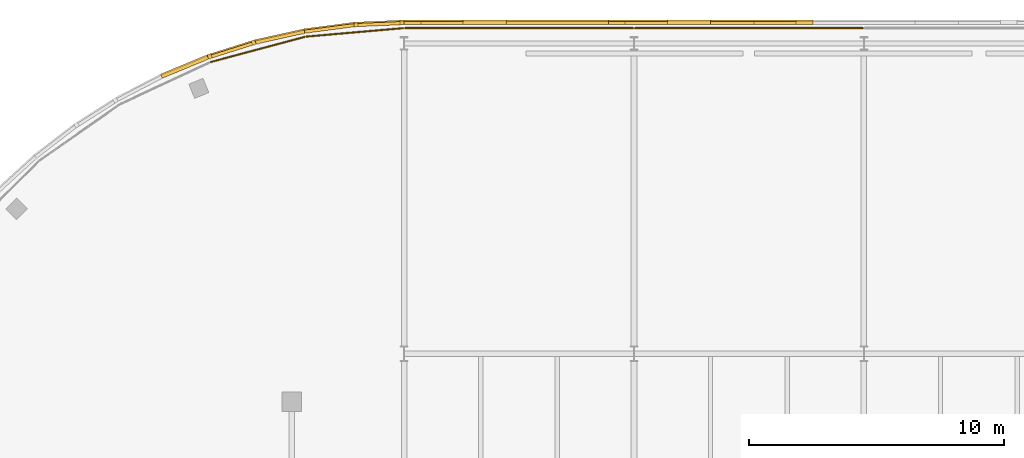
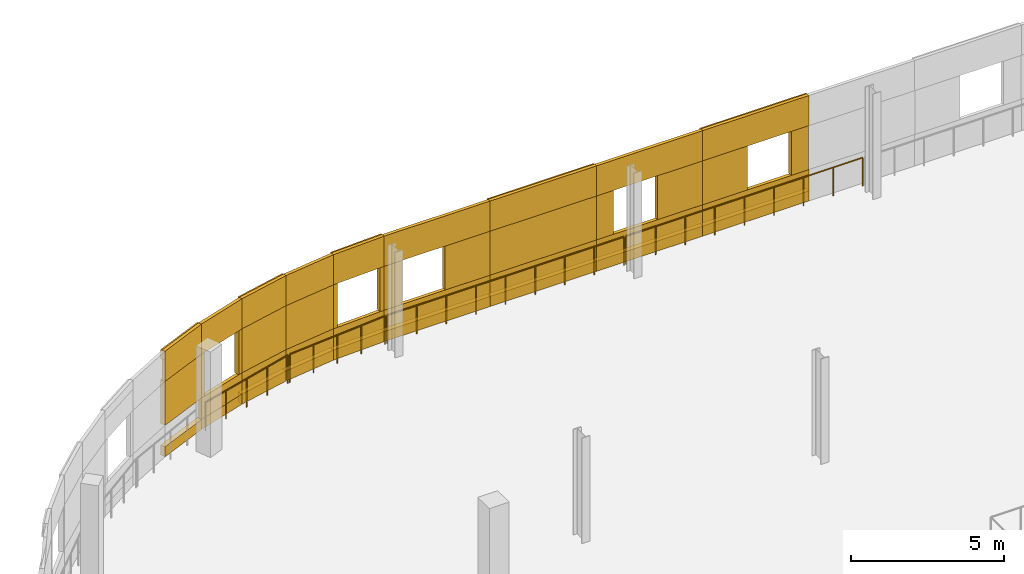
# One storey, part 123 of 132: 45 coverings, 4 railings.
"""IFC4 building model written with IfcOpenShell, lengths in metres."""

from ifc_helpers import new_model, si_unit, direction, frame, origin, origin_2d, place, context, subcontext, project, spatial, rectangle, circle, extrude, material, layer, layer_set, type_object, element, save


model = new_model("IFC4")

# Units and contexts
model_context = context("Model", 3, precision=1e-05, world=origin(), true_north=direction((0.0, 1.0)))
body_context = subcontext(model_context, "Body", "Model", "MODEL_VIEW")
ifc_project = project(units=[si_unit("LENGTHUNIT", "METRE"), si_unit("AREAUNIT", "SQUARE_METRE"), si_unit("VOLUMEUNIT", "CUBIC_METRE"), si_unit("PLANEANGLEUNIT", "RADIAN"), si_unit("MASSUNIT", "GRAM", prefix="KILO")], contexts=[model_context])

# Site, building, storey
site_placement = place(None, origin())
site = spatial("IfcSite", under=ifc_project, at=site_placement, CompositionType="ELEMENT")
building_placement = place(site_placement, origin())
building = spatial("IfcBuilding", under=site, at=building_placement, Name="Deido Ridge Mobility Hub", CompositionType="ELEMENT")
storey_placement = place(building_placement, frame((0.0, 0.0, 8.39990234375)))
storey = spatial("IfcBuildingStorey", under=building, at=storey_placement, Name="L02", CompositionType="ELEMENT", Elevation=8.39990234375)

# Coverings
ifc_material_1 = material(Name="Fired clay brick masonry", Category="masonry")
ifc_layer = layer(ifc_material_1, 0.114990234375, Name="Fired clay brick masonry")
ifc_layer_set = layer_set([ifc_layer], Name="Fired clay brick masonry")
covering_type = type_object("IfcCoveringType", Name="COV-BRK-SCREEN-115", PredefinedType="CLADDING", material=ifc_layer_set)
covering_1_placement = place(storey_placement, frame((59.0, 125.947509765625, 0.0), z_axis=(0.0, 0.0, 1.0), x_axis=(-1.0, 0.0, 0.0)))
element("IfcCovering", 1, at=covering_1_placement, inside=storey, type_object=covering_type, Name="Open brickwork spandrel course BKS1 (L02)", PredefinedType="CLADDING", context=body_context, shape_type="SweptSolid", body=[
    extrude(rectangle(XDim=4.01611328125, YDim=0.125, at=origin_2d()), origin(), (0.0, 0.0, 1.0), 1.25),
])
covering_2_placement = place(storey_placement, frame((59.0, 125.97509765625, 0.000244140625), z_axis=(0.0, 0.0, 1.0), x_axis=(-1.0, 0.0, 0.0)))
element("IfcCovering", 2, at=covering_2_placement, inside=storey, type_object=covering_type, Name="Raised brick relief belt BKS1 (L02)", PredefinedType="CLADDING", context=body_context, shape_type="SweptSolid", body=[
    extrude(rectangle(XDim=4.01611328125, YDim=0.179931640625, at=origin_2d()), origin(), (0.0, 0.0, 1.0), 0.39990234375),
])
covering_3_placement = place(storey_placement, frame((59.0, 125.947509765625, 3.0), z_axis=(0.0, 0.0, 1.0), x_axis=(-1.0, 0.0, 0.0)))
element("IfcCovering", 3, at=covering_3_placement, inside=storey, type_object=covering_type, Name="Open brickwork lintel course BKS1 (L02)", PredefinedType="CLADDING", context=body_context, shape_type="SweptSolid", body=[
    extrude(rectangle(XDim=4.01611328125, YDim=0.125, at=origin_2d()), origin(), (0.0, 0.0, 1.0), 1.199951171875),
])
covering_4_placement = place(storey_placement, frame((59.0, 125.97509765625, 3.83984375), z_axis=(0.0, 0.0, 1.0), x_axis=(-1.0, 0.0, 0.0)))
element("IfcCovering", 4, at=covering_4_placement, inside=storey, type_object=covering_type, Name="Raised brick relief cornice BKS1 (L02)", PredefinedType="CLADDING", context=body_context, shape_type="SweptSolid", body=[
    extrude(rectangle(XDim=4.01611328125, YDim=0.179931640625, at=origin_2d()), origin(), (0.0, 0.0, 1.0), 0.360107421875),
])
covering_5_placement = place(storey_placement, frame((60.672607421875, 125.97509765625, 1.25), z_axis=(0.0, 0.0, 1.0), x_axis=(-1.0, 0.0, 0.0)))
element("IfcCovering", 5, at=covering_5_placement, inside=storey, type_object=covering_type, Name="Open brickwork pier BKS1 (L02)", PredefinedType="CLADDING", context=body_context, shape_type="SweptSolid", body=[
    extrude(rectangle(XDim=0.655029296875, YDim=0.179931640625, at=origin_2d()), origin(), (0.0, 0.0, 1.0), 1.75),
])
covering_6_placement = place(storey_placement, frame((57.847412109375, 125.947509765625, 1.25), z_axis=(0.0, 0.0, 1.0), x_axis=(-1.0, 0.0, 0.0)))
element("IfcCovering", 6, at=covering_6_placement, inside=storey, type_object=covering_type, Name="Open brickwork pier BKS1 (L02)", PredefinedType="CLADDING", context=body_context, shape_type="SweptSolid", body=[
    extrude(rectangle(XDim=1.695068359375, YDim=0.125, at=origin_2d()), origin(), (0.0, 0.0, 1.0), 1.75),
])
covering_7_placement = place(storey_placement, frame((55.0, 125.947509765625, 0.0), z_axis=(0.0, 0.0, 1.0), x_axis=(-1.0, 0.0, 0.0)))
element("IfcCovering", 7, at=covering_7_placement, inside=storey, type_object=covering_type, Name="Open brickwork spandrel course BKS1 (L02)", PredefinedType="CLADDING", context=body_context, shape_type="SweptSolid", body=[
    extrude(rectangle(XDim=4.01611328125, YDim=0.125, at=origin_2d()), origin(), (0.0, 0.0, 1.0), 1.25),
])
covering_8_placement = place(storey_placement, frame((55.0, 125.97509765625, 0.000244140625), z_axis=(0.0, 0.0, 1.0), x_axis=(-1.0, 0.0, 0.0)))
element("IfcCovering", 8, at=covering_8_placement, inside=storey, type_object=covering_type, Name="Raised brick relief belt BKS1 (L02)", PredefinedType="CLADDING", context=body_context, shape_type="SweptSolid", body=[
    extrude(rectangle(XDim=4.01611328125, YDim=0.179931640625, at=origin_2d()), origin(), (0.0, 0.0, 1.0), 0.39990234375),
])
covering_9_placement = place(storey_placement, frame((55.0, 125.947509765625, 3.0), z_axis=(0.0, 0.0, 1.0), x_axis=(-1.0, 0.0, 0.0)))
element("IfcCovering", 9, at=covering_9_placement, inside=storey, type_object=covering_type, Name="Open brickwork lintel course BKS1 (L02)", PredefinedType="CLADDING", context=body_context, shape_type="SweptSolid", body=[
    extrude(rectangle(XDim=4.01611328125, YDim=0.125, at=origin_2d()), origin(), (0.0, 0.0, 1.0), 1.199951171875),
])
covering_10_placement = place(storey_placement, frame((56.152587890625, 125.97509765625, 1.25), z_axis=(0.0, 0.0, 1.0), x_axis=(-1.0, 0.0, 0.0)))
element("IfcCovering", 10, at=covering_10_placement, inside=storey, type_object=covering_type, Name="Open brickwork pier BKS1 (L02)", PredefinedType="CLADDING", context=body_context, shape_type="SweptSolid", body=[
    extrude(rectangle(XDim=1.695068359375, YDim=0.179931640625, at=origin_2d()), origin(), (0.0, 0.0, 1.0), 1.75),
])
covering_11_placement = place(storey_placement, frame((53.327392578125, 125.947509765625, 1.25), z_axis=(0.0, 0.0, 1.0), x_axis=(-1.0, 0.0, 0.0)))
element("IfcCovering", 11, at=covering_11_placement, inside=storey, type_object=covering_type, Name="Open brickwork pier BKS1 (L02)", PredefinedType="CLADDING", context=body_context, shape_type="SweptSolid", body=[
    extrude(rectangle(XDim=0.655029296875, YDim=0.125, at=origin_2d()), origin(), (0.0, 0.0, 1.0), 1.75),
])
covering_12_placement = place(storey_placement, frame((51.0, 125.947509765625, 0.0), z_axis=(0.0, 0.0, 1.0), x_axis=(-1.0, 0.0, 0.0)))
element("IfcCovering", 12, at=covering_12_placement, inside=storey, type_object=covering_type, Name="Open brickwork spandrel course BKS1 (L02)", PredefinedType="CLADDING", context=body_context, shape_type="SweptSolid", body=[
    extrude(rectangle(XDim=4.01611328125, YDim=0.125, at=origin_2d()), origin(), (0.0, 0.0, 1.0), 1.25),
])
covering_13_placement = place(storey_placement, frame((51.0, 125.97509765625, 0.000244140625), z_axis=(0.0, 0.0, 1.0), x_axis=(-1.0, 0.0, 0.0)))
element("IfcCovering", 13, at=covering_13_placement, inside=storey, type_object=covering_type, Name="Raised brick relief belt BKS1 (L02)", PredefinedType="CLADDING", context=body_context, shape_type="SweptSolid", body=[
    extrude(rectangle(XDim=4.01611328125, YDim=0.179931640625, at=origin_2d()), origin(), (0.0, 0.0, 1.0), 0.39990234375),
])
covering_14_placement = place(storey_placement, frame((51.0, 125.947509765625, 3.0), z_axis=(0.0, 0.0, 1.0), x_axis=(-1.0, 0.0, 0.0)))
element("IfcCovering", 14, at=covering_14_placement, inside=storey, type_object=covering_type, Name="Open brickwork lintel course BKS1 (L02)", PredefinedType="CLADDING", context=body_context, shape_type="SweptSolid", body=[
    extrude(rectangle(XDim=4.01611328125, YDim=0.125, at=origin_2d()), origin(), (0.0, 0.0, 1.0), 1.199951171875),
])
covering_15_placement = place(storey_placement, frame((51.0, 125.97509765625, 3.83984375), z_axis=(0.0, 0.0, 1.0), x_axis=(-1.0, 0.0, 0.0)))
element("IfcCovering", 15, at=covering_15_placement, inside=storey, type_object=covering_type, Name="Raised brick relief cornice BKS1 (L02)", PredefinedType="CLADDING", context=body_context, shape_type="SweptSolid", body=[
    extrude(rectangle(XDim=4.01611328125, YDim=0.179931640625, at=origin_2d()), origin(), (0.0, 0.0, 1.0), 0.360107421875),
])
covering_16_placement = place(storey_placement, frame((51.0, 125.97509765625, 1.25), z_axis=(0.0, 0.0, 1.0), x_axis=(-1.0, 0.0, 0.0)))
element("IfcCovering", 16, at=covering_16_placement, inside=storey, type_object=covering_type, Name="Raised brick relief panel BKS1 (L02)", PredefinedType="CLADDING", context=body_context, shape_type="SweptSolid", body=[
    extrude(rectangle(XDim=4.008056640625, YDim=0.179931640625, at=origin_2d()), origin(), (0.0, 0.0, 1.0), 1.75),
])
covering_17_placement = place(storey_placement, frame((47.0, 125.947509765625, 0.0), z_axis=(0.0, 0.0, 1.0), x_axis=(-1.0, 0.0, 0.0)))
element("IfcCovering", 17, at=covering_17_placement, inside=storey, type_object=covering_type, Name="Open brickwork spandrel course BKS1 (L02)", PredefinedType="CLADDING", context=body_context, shape_type="SweptSolid", body=[
    extrude(rectangle(XDim=4.01611328125, YDim=0.125, at=origin_2d()), origin(), (0.0, 0.0, 1.0), 1.25),
])
covering_18_placement = place(storey_placement, frame((47.0, 125.97509765625, 0.000244140625), z_axis=(0.0, 0.0, 1.0), x_axis=(-1.0, 0.0, 0.0)))
element("IfcCovering", 18, at=covering_18_placement, inside=storey, type_object=covering_type, Name="Raised brick relief belt BKS1 (L02)", PredefinedType="CLADDING", context=body_context, shape_type="SweptSolid", body=[
    extrude(rectangle(XDim=4.01611328125, YDim=0.179931640625, at=origin_2d()), origin(), (0.0, 0.0, 1.0), 0.39990234375),
])
covering_19_placement = place(storey_placement, frame((47.0, 125.947509765625, 3.0), z_axis=(0.0, 0.0, 1.0), x_axis=(-1.0, 0.0, 0.0)))
element("IfcCovering", 19, at=covering_19_placement, inside=storey, type_object=covering_type, Name="Open brickwork lintel course BKS1 (L02)", PredefinedType="CLADDING", context=body_context, shape_type="SweptSolid", body=[
    extrude(rectangle(XDim=4.01611328125, YDim=0.125, at=origin_2d()), origin(), (0.0, 0.0, 1.0), 1.199951171875),
])
covering_20_placement = place(storey_placement, frame((48.152587890625, 125.97509765625, 1.25), z_axis=(0.0, 0.0, 1.0), x_axis=(-1.0, 0.0, 0.0)))
element("IfcCovering", 20, at=covering_20_placement, inside=storey, type_object=covering_type, Name="Open brickwork pier BKS1 (L02)", PredefinedType="CLADDING", context=body_context, shape_type="SweptSolid", body=[
    extrude(rectangle(XDim=1.695068359375, YDim=0.179931640625, at=origin_2d()), origin(), (0.0, 0.0, 1.0), 1.75),
])
covering_21_placement = place(storey_placement, frame((45.327392578125, 125.947509765625, 1.25), z_axis=(0.0, 0.0, 1.0), x_axis=(-1.0, 0.0, 0.0)))
element("IfcCovering", 21, at=covering_21_placement, inside=storey, type_object=covering_type, Name="Open brickwork pier BKS1 (L02)", PredefinedType="CLADDING", context=body_context, shape_type="SweptSolid", body=[
    extrude(rectangle(XDim=0.655029296875, YDim=0.125, at=origin_2d()), origin(), (0.0, 0.0, 1.0), 1.75),
])
covering_22_placement = place(storey_placement, frame((44.021728515625, 125.90478515625, 0.0), z_axis=(0.0, 0.0, 1.0), x_axis=(-0.999048982732, -0.043601950678, 0.0)))
element("IfcCovering", 22, at=covering_22_placement, inside=storey, type_object=covering_type, Name="Open brickwork spandrel course BKS1 (L02)", PredefinedType="CLADDING", context=body_context, shape_type="SweptSolid", body=[
    extrude(rectangle(XDim=1.9619140625, YDim=0.125, at=origin_2d()), origin(), (0.0, 0.0, 1.0), 1.25),
])
covering_23_placement = place(storey_placement, frame((44.0205078125, 125.932373046875, 0.000244140625), z_axis=(0.0, 0.0, 1.0), x_axis=(-0.999048982732, -0.043601950678, 0.0)))
element("IfcCovering", 23, at=covering_23_placement, inside=storey, type_object=covering_type, Name="Raised brick relief belt BKS1 (L02)", PredefinedType="CLADDING", context=body_context, shape_type="SweptSolid", body=[
    extrude(rectangle(XDim=1.9619140625, YDim=0.179931640625, at=origin_2d()), origin(), (0.0, 0.0, 1.0), 0.39990234375),
])
covering_24_placement = place(storey_placement, frame((44.021728515625, 125.90478515625, 3.0), z_axis=(0.0, 0.0, 1.0), x_axis=(-0.999048982732, -0.043601950678, 0.0)))
element("IfcCovering", 24, at=covering_24_placement, inside=storey, type_object=covering_type, Name="Open brickwork lintel course BKS1 (L02)", PredefinedType="CLADDING", context=body_context, shape_type="SweptSolid", body=[
    extrude(rectangle(XDim=1.9619140625, YDim=0.125, at=origin_2d()), origin(), (0.0, 0.0, 1.0), 1.199951171875),
])
covering_25_placement = place(storey_placement, frame((44.0205078125, 125.932373046875, 3.83984375), z_axis=(0.0, 0.0, 1.0), x_axis=(-0.999048982732, -0.043601950678, 0.0)))
element("IfcCovering", 25, at=covering_25_placement, inside=storey, type_object=covering_type, Name="Raised brick relief cornice BKS1 (L02)", PredefinedType="CLADDING", context=body_context, shape_type="SweptSolid", body=[
    extrude(rectangle(XDim=1.9619140625, YDim=0.179931640625, at=origin_2d()), origin(), (0.0, 0.0, 1.0), 0.360107421875),
])
for number, where, z_axis, x_axis, name in (
    (26, (44.9208984375, 125.9716796875, 1.25), (0.0, 0.0, 1.0), (-0.999048982732, -0.043601950678, 0.0), "Curved brick jamb nib BKS1 (L02)"),
    (27, (43.120361328125, 125.89306640625, 1.25), (0.0, 0.0, 1.0), (-0.999048982732, -0.043601950678, 0.0), "Curved brick jamb nib BKS1 (L02)"),
):
    element("IfcCovering", number, at=place(storey_placement, frame(where, z_axis=z_axis, x_axis=x_axis)), inside=storey, type_object=covering_type, Name=name, PredefinedType="CLADDING", context=body_context, shape_type="SweptSolid", body=[
        extrude(rectangle(XDim=0.152099609375, YDim=0.179931640625, at=origin_2d()), origin(), (0.0, 0.0, 1.0), 1.75),
    ])
covering_26_placement = place(storey_placement, frame((42.07275390625, 125.734375, 0.0), z_axis=(0.0, 0.0, 1.0), x_axis=(-0.991442583111, -0.130543496177, 0.0)))
element("IfcCovering", 28, at=covering_26_placement, inside=storey, type_object=covering_type, Name="Open brickwork spandrel course BKS1 (L02)", PredefinedType="CLADDING", context=body_context, shape_type="SweptSolid", body=[
    extrude(rectangle(XDim=1.9619140625, YDim=0.125, at=origin_2d()), origin(), (0.0, 0.0, 1.0), 1.25),
])
covering_27_placement = place(storey_placement, frame((42.069091796875, 125.76171875, 0.000244140625), z_axis=(0.0, 0.0, 1.0), x_axis=(-0.991442583111, -0.130543496177, 0.0)))
element("IfcCovering", 29, at=covering_27_placement, inside=storey, type_object=covering_type, Name="Raised brick relief belt BKS1 (L02)", PredefinedType="CLADDING", context=body_context, shape_type="SweptSolid", body=[
    extrude(rectangle(XDim=1.9619140625, YDim=0.179931640625, at=origin_2d()), origin(), (0.0, 0.0, 1.0), 0.39990234375),
])
covering_28_placement = place(storey_placement, frame((42.07275390625, 125.734375, 3.0), z_axis=(0.0, 0.0, 1.0), x_axis=(-0.991442583111, -0.130543496177, 0.0)))
element("IfcCovering", 30, at=covering_28_placement, inside=storey, type_object=covering_type, Name="Open brickwork lintel course BKS1 (L02)", PredefinedType="CLADDING", context=body_context, shape_type="SweptSolid", body=[
    extrude(rectangle(XDim=1.9619140625, YDim=0.125, at=origin_2d()), origin(), (0.0, 0.0, 1.0), 1.199951171875),
])
covering_29_placement = place(storey_placement, frame((42.07275390625, 125.734375, 1.25), z_axis=(0.0, 0.0, 1.0), x_axis=(-0.991442583111, -0.130543496177, 0.0)))
element("IfcCovering", 31, at=covering_29_placement, inside=storey, type_object=covering_type, Name="Curved raised brickwork pier BKS1 (L02)", PredefinedType="CLADDING", context=body_context, shape_type="SweptSolid", body=[
    extrude(rectangle(XDim=1.9619140625, YDim=0.125, at=origin_2d()), origin(), (0.0, 0.0, 1.0), 1.75),
])
covering_30_placement = place(storey_placement, frame((40.14599609375, 125.39453125, 0.0), z_axis=(0.0, 0.0, 1.0), x_axis=(-0.976292229387, -0.216456653485, 0.0)))
element("IfcCovering", 32, at=covering_30_placement, inside=storey, type_object=covering_type, Name="Open brickwork spandrel course BKS1 (L02)", PredefinedType="CLADDING", context=body_context, shape_type="SweptSolid", body=[
    extrude(rectangle(XDim=1.9619140625, YDim=0.125, at=origin_2d()), origin(), (0.0, 0.0, 1.0), 1.25),
])
covering_31_placement = place(storey_placement, frame((40.14013671875, 125.42138671875, 0.000244140625), z_axis=(0.0, 0.0, 1.0), x_axis=(-0.976292229387, -0.216456653485, 0.0)))
element("IfcCovering", 33, at=covering_31_placement, inside=storey, type_object=covering_type, Name="Raised brick relief belt BKS1 (L02)", PredefinedType="CLADDING", context=body_context, shape_type="SweptSolid", body=[
    extrude(rectangle(XDim=1.9619140625, YDim=0.179931640625, at=origin_2d()), origin(), (0.0, 0.0, 1.0), 0.39990234375),
])
covering_32_placement = place(storey_placement, frame((40.14599609375, 125.39453125, 3.0), z_axis=(0.0, 0.0, 1.0), x_axis=(-0.976292229387, -0.216456653485, 0.0)))
element("IfcCovering", 34, at=covering_32_placement, inside=storey, type_object=covering_type, Name="Open brickwork lintel course BKS1 (L02)", PredefinedType="CLADDING", context=body_context, shape_type="SweptSolid", body=[
    extrude(rectangle(XDim=1.9619140625, YDim=0.125, at=origin_2d()), origin(), (0.0, 0.0, 1.0), 1.199951171875),
])
covering_33_placement = place(storey_placement, frame((40.14013671875, 125.42138671875, 3.83984375), z_axis=(0.0, 0.0, 1.0), x_axis=(-0.976292229387, -0.216456653485, 0.0)))
element("IfcCovering", 35, at=covering_33_placement, inside=storey, type_object=covering_type, Name="Raised brick relief cornice BKS1 (L02)", PredefinedType="CLADDING", context=body_context, shape_type="SweptSolid", body=[
    extrude(rectangle(XDim=1.9619140625, YDim=0.179931640625, at=origin_2d()), origin(), (0.0, 0.0, 1.0), 0.360107421875),
])
covering_34_placement = place(storey_placement, frame((40.14013671875, 125.42138671875, 1.25), z_axis=(0.0, 0.0, 1.0), x_axis=(-0.976292229387, -0.216456653485, 0.0)))
element("IfcCovering", 36, at=covering_34_placement, inside=storey, type_object=covering_type, Name="Curved raised brickwork pier BKS1 (L02)", PredefinedType="CLADDING", context=body_context, shape_type="SweptSolid", body=[
    extrude(rectangle(XDim=1.9619140625, YDim=0.179931640625, at=origin_2d()), origin(), (0.0, 0.0, 1.0), 1.75),
])
covering_35_placement = place(storey_placement, frame((38.25634765625, 124.88818359375, 0.0), z_axis=(0.0, 0.0, 1.0), x_axis=(-0.95372744678, -0.300672508319, 0.0)))
element("IfcCovering", 37, at=covering_35_placement, inside=storey, type_object=covering_type, Name="Open brickwork spandrel course BKS1 (L02)", PredefinedType="CLADDING", context=body_context, shape_type="SweptSolid", body=[
    extrude(rectangle(XDim=1.9619140625, YDim=0.125, at=origin_2d()), origin(), (0.0, 0.0, 1.0), 1.25),
])
covering_36_placement = place(storey_placement, frame((38.248046875, 124.914306640625, 0.000244140625), z_axis=(0.0, 0.0, 1.0), x_axis=(-0.95372744678, -0.300672508319, 0.0)))
element("IfcCovering", 38, at=covering_36_placement, inside=storey, type_object=covering_type, Name="Raised brick relief belt BKS1 (L02)", PredefinedType="CLADDING", context=body_context, shape_type="SweptSolid", body=[
    extrude(rectangle(XDim=1.9619140625, YDim=0.179931640625, at=origin_2d()), origin(), (0.0, 0.0, 1.0), 0.39990234375),
])
covering_37_placement = place(storey_placement, frame((38.25634765625, 124.88818359375, 3.0), z_axis=(0.0, 0.0, 1.0), x_axis=(-0.95372744678, -0.300672508319, 0.0)))
element("IfcCovering", 39, at=covering_37_placement, inside=storey, type_object=covering_type, Name="Open brickwork lintel course BKS1 (L02)", PredefinedType="CLADDING", context=body_context, shape_type="SweptSolid", body=[
    extrude(rectangle(XDim=1.9619140625, YDim=0.125, at=origin_2d()), origin(), (0.0, 0.0, 1.0), 1.199951171875),
])
for number, where, z_axis, x_axis, name in (
    (40, (39.107421875, 125.185302734375, 1.25), (0.0, 0.0, 1.0), (-0.95372744678, -0.300672508319, 0.0), "Curved brick jamb nib BKS1 (L02)"),
    (41, (37.388671875, 124.6435546875, 1.25), (0.0, 0.0, 1.0), (-0.95372744678, -0.300672508319, 0.0), "Curved brick jamb nib BKS1 (L02)"),
):
    element("IfcCovering", number, at=place(storey_placement, frame(where, z_axis=z_axis, x_axis=x_axis)), inside=storey, type_object=covering_type, Name=name, PredefinedType="CLADDING", context=body_context, shape_type="SweptSolid", body=[
        extrude(rectangle(XDim=0.152099609375, YDim=0.179931640625, at=origin_2d()), origin(), (0.0, 0.0, 1.0), 1.75),
    ])
covering_38_placement = place(storey_placement, frame((36.4072265625, 124.244384765625, 0.000244140625), z_axis=(0.0, 0.0, 1.0), x_axis=(-0.923872853285, -0.382699557047, 0.0)))
element("IfcCovering", 42, at=covering_38_placement, inside=storey, type_object=covering_type, Name="Raised brick relief belt BKS1 (L02)", PredefinedType="CLADDING", context=body_context, shape_type="SweptSolid", body=[
    extrude(rectangle(XDim=1.9619140625, YDim=0.179931640625, at=origin_2d()), origin(), (0.0, 0.0, 1.0), 0.39990234375),
])
covering_39_placement = place(storey_placement, frame((36.41796875, 124.218994140625, 3.0), z_axis=(0.0, 0.0, 1.0), x_axis=(-0.923872853285, -0.382699557047, 0.0)))
element("IfcCovering", 43, at=covering_39_placement, inside=storey, type_object=covering_type, Name="Open brickwork lintel course BKS1 (L02)", PredefinedType="CLADDING", context=body_context, shape_type="SweptSolid", body=[
    extrude(rectangle(XDim=1.9619140625, YDim=0.125, at=origin_2d()), origin(), (0.0, 0.0, 1.0), 1.199951171875),
])
covering_40_placement = place(storey_placement, frame((36.4072265625, 124.244384765625, 3.83984375), z_axis=(0.0, 0.0, 1.0), x_axis=(-0.923872853285, -0.382699557047, 0.0)))
element("IfcCovering", 44, at=covering_40_placement, inside=storey, type_object=covering_type, Name="Raised brick relief cornice BKS1 (L02)", PredefinedType="CLADDING", context=body_context, shape_type="SweptSolid", body=[
    extrude(rectangle(XDim=1.9619140625, YDim=0.179931640625, at=origin_2d()), origin(), (0.0, 0.0, 1.0), 0.360107421875),
])
covering_41_placement = place(storey_placement, frame((36.4072265625, 124.244384765625, 1.25), z_axis=(0.0, 0.0, 1.0), x_axis=(-0.923872853285, -0.382699557047, 0.0)))
element("IfcCovering", 45, at=covering_41_placement, inside=storey, type_object=covering_type, Name="Curved raised brickwork pier BKS1 (L02)", PredefinedType="CLADDING", context=body_context, shape_type="SweptSolid", body=[
    extrude(rectangle(XDim=1.9619140625, YDim=0.179931640625, at=origin_2d()), origin(), (0.0, 0.0, 1.0), 1.75),
])

# Railings
ifc_material_2 = material(Name="Galvanised steel work", Category="steel")
railing_type = type_object("IfcRailingType", Name="RL-GRD-EXT-1150", PredefinedType="GUARDRAIL", material=ifc_material_2)
for number, where, name in (
    (46, (62.9599609375, 125.75, 0.0), "Parking drum perimeter guard (L02)"),
    (47, (53.9599609375, 125.75, 0.0), "Parking drum perimeter guard (L02)"),
):
    element("IfcRailing", number, at=place(storey_placement, frame(where)), inside=storey, type_object=railing_type, Name=name, PredefinedType="GUARDRAIL", context=body_context, shape_type="SweptSolid", body=[
        extrude(circle(Radius=0.02392578125, at=origin_2d()), frame((0.0, 0.0, 1.1259765625), z_axis=(-1.0, 0.0, 0.0), x_axis=(0.0, -1.0, 0.0)), (0.0, 0.0, 1.0), 8.919921875),
        extrude(circle(Radius=0.02099609375, at=origin_2d()), origin(), (0.0, 0.0, 1.0), 1.101806640625),
        extrude(circle(Radius=0.02099609375, at=origin_2d()), frame((-1.114990234375, 0.0, 0.0)), (0.0, 0.0, 1.0), 1.101806640625),
        extrude(circle(Radius=0.02099609375, at=origin_2d()), frame((-2.22998046875, 0.0, 0.0)), (0.0, 0.0, 1.0), 1.101806640625),
        extrude(circle(Radius=0.02099609375, at=origin_2d()), frame((-3.344970703125, 0.0, 0.0)), (0.0, 0.0, 1.0), 1.101806640625),
        extrude(circle(Radius=0.02099609375, at=origin_2d()), frame((-4.4599609375, 0.0, 0.0)), (0.0, 0.0, 1.0), 1.101806640625),
        extrude(circle(Radius=0.02099609375, at=origin_2d()), frame((-5.574951171875, 0.0, 0.0)), (0.0, 0.0, 1.0), 1.101806640625),
        extrude(circle(Radius=0.02099609375, at=origin_2d()), frame((-6.68994140625, 0.0, 0.0)), (0.0, 0.0, 1.0), 1.101806640625),
        extrude(circle(Radius=0.02099609375, at=origin_2d()), frame((-7.804931640625, 0.0, 0.0)), (0.0, 0.0, 1.0), 1.101806640625),
        extrude(circle(Radius=0.02099609375, at=origin_2d()), frame((-8.919921875, 0.0, 0.0)), (0.0, 0.0, 1.0), 1.101806640625),
    ])
railing_1_placement = place(storey_placement, frame((44.960205078125, 125.74658203125, 0.0)))
element("IfcRailing", 48, at=railing_1_placement, inside=storey, type_object=railing_type, Name="Parking drum perimeter guard (L02)", PredefinedType="GUARDRAIL", context=body_context, shape_type="SweptSolid", body=[
    extrude(circle(Radius=0.02392578125, at=origin_2d()), frame((0.0, 0.0, 1.1259765625), z_axis=(-0.996195112607, -0.08715100469, 0.0), x_axis=(0.08715100469, -0.996195112607, 0.0)), (0.0, 0.0, 1.0), 3.798583984375),
    extrude(circle(Radius=0.02099609375, at=origin_2d()), origin(), (0.0, 0.0, 1.0), 1.101806640625),
    extrude(circle(Radius=0.02099609375, at=origin_2d()), frame((-0.946044921875, -0.082763671875, 0.0)), (0.0, 0.0, 1.0), 1.101806640625),
    extrude(circle(Radius=0.02099609375, at=origin_2d()), frame((-1.89208984375, -0.16552734375, 0.0)), (0.0, 0.0, 1.0), 1.101806640625),
    extrude(circle(Radius=0.02099609375, at=origin_2d()), frame((-2.838134765625, -0.248291015625, 0.0)), (0.0, 0.0, 1.0), 1.101806640625),
    extrude(circle(Radius=0.02099609375, at=origin_2d()), frame((-3.7841796875, -0.3310546875, 0.0)), (0.0, 0.0, 1.0), 1.101806640625),
])
railing_2_placement = place(storey_placement, frame((41.09765625, 125.401611328125, 0.0)))
element("IfcRailing", 49, at=railing_2_placement, inside=storey, type_object=railing_type, Name="Parking drum perimeter guard (L02)", PredefinedType="GUARDRAIL", context=body_context, shape_type="SweptSolid", body=[
    extrude(circle(Radius=0.02392578125, at=origin_2d()), frame((0.0, 0.0, 1.1259765625), z_axis=(-0.965937723757, -0.258774639064, 0.0), x_axis=(0.258774639064, -0.965937723757, 0.0)), (0.0, 0.0, 1.0), 3.79833984375),
    extrude(circle(Radius=0.02099609375, at=origin_2d()), origin(), (0.0, 0.0, 1.0), 1.101806640625),
    extrude(circle(Radius=0.02099609375, at=origin_2d()), frame((-0.917236328125, -0.24560546875, 0.0)), (0.0, 0.0, 1.0), 1.101806640625),
    extrude(circle(Radius=0.02099609375, at=origin_2d()), frame((-1.83447265625, -0.491455078125, 0.0)), (0.0, 0.0, 1.0), 1.101806640625),
    extrude(circle(Radius=0.02099609375, at=origin_2d()), frame((-2.751708984375, -0.7373046875, 0.0)), (0.0, 0.0, 1.0), 1.101806640625),
    extrude(circle(Radius=0.02099609375, at=origin_2d()), frame((-3.6689453125, -0.98291015625, 0.0)), (0.0, 0.0, 1.0), 1.101806640625),
])

save(model, "model.ifc")
